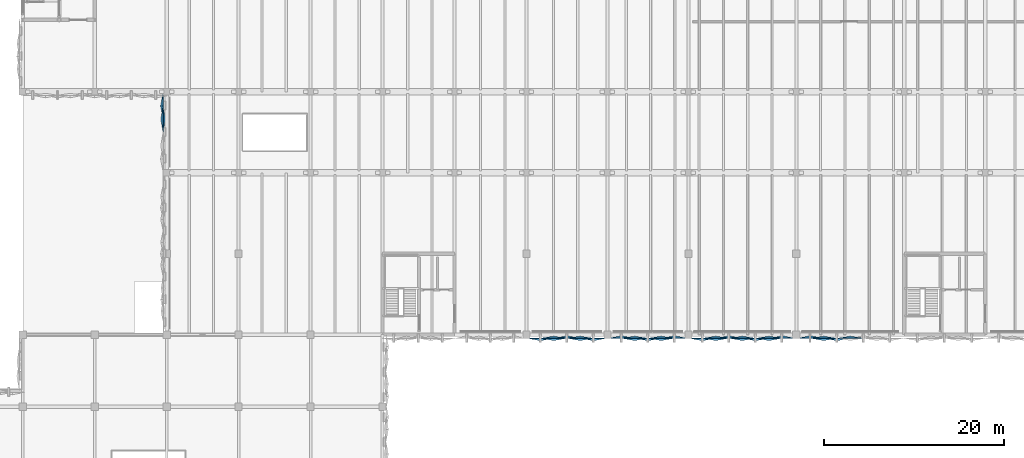
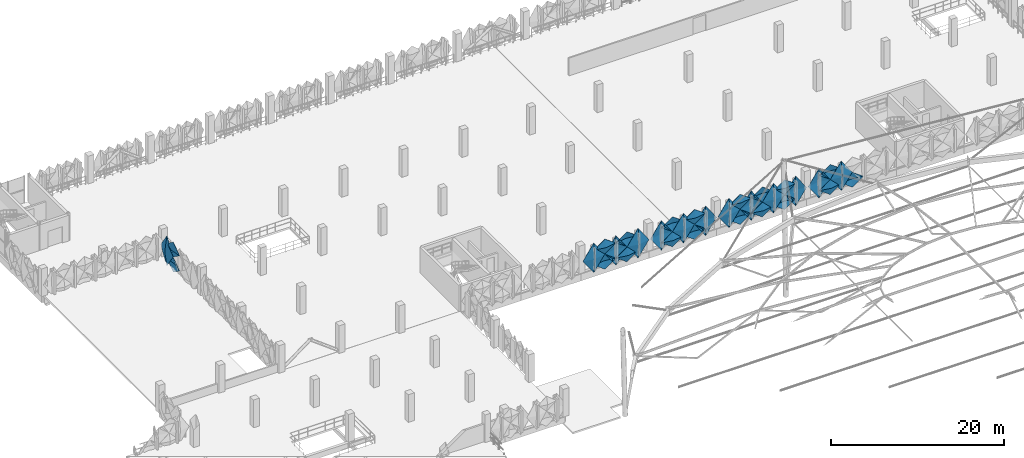
# One storey, part 67 of 96: 32 plates.
"""IFC4 building model written with IfcOpenShell, lengths in metres."""

from ifc_helpers import new_model, si_unit, derived_unit, direction, frame, origin, place, context, subcontext, project, spatial, polygons, material, layer, layer_set, type_object, element, save


model = new_model("IFC4")

# Units and contexts
model_context = context("Model", 3, precision=1e-05, world=origin(), true_north=direction((0.0, 1.0)))
body_context = subcontext(model_context, "Body", "Model", "MODEL_VIEW")
ifc_project = project(units=[si_unit("LENGTHUNIT", "METRE"), si_unit("AREAUNIT", "SQUARE_METRE"), si_unit("VOLUMEUNIT", "CUBIC_METRE"), si_unit("PLANEANGLEUNIT", "RADIAN"), si_unit("MASSUNIT", "GRAM", prefix="KILO"), si_unit("THERMODYNAMICTEMPERATUREUNIT", "KELVIN"), derived_unit("THERMALTRANSMITTANCEUNIT", [(si_unit("POWERUNIT", "WATT"), 1), (si_unit("AREAUNIT", "SQUARE_METRE"), -1), (si_unit("THERMODYNAMICTEMPERATUREUNIT", "KELVIN"), -1)])], contexts=[model_context])

# Site, building, storey
site_placement = place(None, origin())
site = spatial("IfcSite", under=ifc_project, at=site_placement, CompositionType="ELEMENT")
building_placement = place(site_placement, origin())
building = spatial("IfcBuilding", under=site, at=building_placement, Name="Haiyu Intermodal Mobility Hub", CompositionType="ELEMENT")
storey_placement = place(building_placement, frame((0.0, 0.0, 9.5)))
storey = spatial("IfcBuildingStorey", under=building, at=storey_placement, Name="L02", CompositionType="ELEMENT", Elevation=9.5)

# Plates
ifc_material = material(Name="Anodised aluminium 6063-T6", Category="aluminium")
ifc_layer_1 = layer(ifc_material, 0.01806640625)
ifc_layer_set_1 = layer_set([ifc_layer_1], Name="Anodised aluminium 6063-T6")
plate_type_1 = type_object("IfcPlateType", Name="PLT-FC01", PredefinedType="USERDEFINED", material=ifc_layer_set_1)
plate_1_placement = place(storey_placement, origin())
element("IfcPlate", 1, at=plate_1_placement, inside=storey, type_object=plate_type_1, Name="PLT-PYR-0795", ObjectType="FACADE CASSETTE", PredefinedType="USERDEFINED", context=body_context, shape_type="Tessellation", body=[
    polygons([(85.447021484375, 103.60009765625, -0.510009765625), (86.89990234375, 103.60009765625, 1.60009765625), (85.447021484375, 103.60009765625, 3.7099609375), (83.992919921875, 103.60009765625, 1.60009765625), (85.447021484375, 103.320068359375, 1.60009765625), (85.447021484375, 103.6220703125, -0.510009765625), (86.89990234375, 103.6220703125, 1.60009765625), (85.447021484375, 103.6220703125, 3.7099609375), (83.992919921875, 103.6220703125, 1.60009765625), (85.447021484375, 103.342041015625, 1.60009765625)], [[[1, 2, 5]], [[2, 3, 5]], [[3, 4, 5]], [[4, 1, 5]], [[7, 6, 10]], [[8, 7, 10]], [[9, 8, 10]], [[6, 9, 10]], [[1, 6, 7, 2]], [[2, 7, 8, 3]], [[3, 8, 9, 4]], [[4, 9, 6, 1]]], closed=True),
])
plate_2_placement = place(storey_placement, origin())
element("IfcPlate", 2, at=plate_2_placement, inside=storey, type_object=plate_type_1, Name="PLT-PYR-0861", ObjectType="FACADE CASSETTE", PredefinedType="USERDEFINED", context=body_context, shape_type="Tessellation", body=[
    polygons([(103.47998046875, 103.60009765625, -0.510009765625), (104.93994140625, 103.60009765625, 1.60009765625), (103.47998046875, 103.60009765625, 3.7099609375), (102.02001953125, 103.60009765625, 1.60009765625), (103.47998046875, 103.320068359375, 1.60009765625), (103.47998046875, 103.6220703125, -0.510009765625), (104.93994140625, 103.6220703125, 1.60009765625), (103.47998046875, 103.6220703125, 3.7099609375), (102.02001953125, 103.6220703125, 1.60009765625), (103.47998046875, 103.342041015625, 1.60009765625)], [[[1, 2, 5]], [[2, 3, 5]], [[3, 4, 5]], [[4, 1, 5]], [[7, 6, 10]], [[8, 7, 10]], [[9, 8, 10]], [[6, 9, 10]], [[1, 6, 7, 2]], [[2, 7, 8, 3]], [[3, 8, 9, 4]], [[4, 9, 6, 1]]], closed=True),
])
ifc_layer_2 = layer(ifc_material, 0.02001953125)
ifc_layer_set_2 = layer_set([ifc_layer_2], Name="Anodised aluminium 6063-T6")
plate_type_2 = type_object("IfcPlateType", Name="PLT-FC02", PredefinedType="USERDEFINED", material=ifc_layer_set_2)
plate_3_placement = place(storey_placement, origin())
element("IfcPlate", 3, at=plate_3_placement, inside=storey, type_object=plate_type_2, Name="PLT-PYR-0823", ObjectType="FACADE CASSETTE", PredefinedType="USERDEFINED", context=body_context, shape_type="Tessellation", body=[
    polygons([(94.447021484375, 103.60009765625, -0.510009765625), (95.89990234375, 103.60009765625, 1.60009765625), (94.447021484375, 103.60009765625, 3.7099609375), (92.992919921875, 103.60009765625, 1.60009765625), (94.447021484375, 103.860107421875, 1.60009765625), (94.447021484375, 103.6220703125, -0.510009765625), (95.89990234375, 103.6220703125, 1.60009765625), (94.447021484375, 103.6220703125, 3.7099609375), (92.992919921875, 103.6220703125, 1.60009765625), (94.447021484375, 103.882080078125, 1.60009765625)], [[[1, 2, 5]], [[2, 3, 5]], [[3, 4, 5]], [[4, 1, 5]], [[7, 6, 10]], [[8, 7, 10]], [[9, 8, 10]], [[6, 9, 10]], [[1, 6, 7, 2]], [[2, 7, 8, 3]], [[3, 8, 9, 4]], [[4, 9, 6, 1]]], closed=True),
])
ifc_layer_3 = layer(ifc_material, 0.02001953125)
ifc_layer_set_3 = layer_set([ifc_layer_3], Name="Anodised aluminium 6063-T6")
plate_type_3 = type_object("IfcPlateType", Name="PLT-FC04", PredefinedType="USERDEFINED", material=ifc_layer_set_3)
plate_4_placement = place(storey_placement, origin())
element("IfcPlate", 4, at=plate_4_placement, inside=storey, type_object=plate_type_3, Name="PLT-PYR-0864", ObjectType="FACADE CASSETTE", PredefinedType="USERDEFINED", context=body_context, shape_type="Tessellation", body=[
    polygons([(106.43994140625, 103.60009765625, -0.510009765625), (107.89990234375, 103.60009765625, 1.60009765625), (106.43994140625, 103.60009765625, 3.7099609375), (104.97998046875, 103.60009765625, 1.60009765625), (106.43994140625, 103.860107421875, 1.60009765625), (106.43994140625, 103.6220703125, -0.510009765625), (107.89990234375, 103.6220703125, 1.60009765625), (106.43994140625, 103.6220703125, 3.7099609375), (104.97998046875, 103.6220703125, 1.60009765625), (106.43994140625, 103.882080078125, 1.60009765625)], [[[1, 2, 5]], [[2, 3, 5]], [[3, 4, 5]], [[4, 1, 5]], [[7, 6, 10]], [[8, 7, 10]], [[9, 8, 10]], [[6, 9, 10]], [[1, 6, 7, 2]], [[2, 7, 8, 3]], [[3, 8, 9, 4]], [[4, 9, 6, 1]]], closed=True),
])
ifc_layer_4 = layer(ifc_material, 0.01806640625)
ifc_layer_set_4 = layer_set([ifc_layer_4], Name="Anodised aluminium 6063-T6")
plate_type_4 = type_object("IfcPlateType", Name="PLT-FC05", PredefinedType="USERDEFINED", material=ifc_layer_set_4)
plate_5_placement = place(storey_placement, origin())
element("IfcPlate", 5, at=plate_5_placement, inside=storey, type_object=plate_type_4, Name="PLT-PYR-0623", ObjectType="FACADE CASSETTE", PredefinedType="USERDEFINED", context=body_context, shape_type="Tessellation", body=[
    polygons([(37.60009765625, 129.447021484375, -0.510009765625), (37.60009765625, 127.992919921875, 1.60009765625), (37.60009765625, 129.447021484375, 3.7099609375), (37.60009765625, 130.89990234375, 1.60009765625), (37.320068359375, 129.447021484375, 1.60009765625), (37.6220703125, 129.447021484375, -0.510009765625), (37.6220703125, 127.992919921875, 1.60009765625), (37.6220703125, 129.447021484375, 3.7099609375), (37.6220703125, 130.89990234375, 1.60009765625), (37.342041015625, 129.447021484375, 1.60009765625)], [[[1, 2, 5]], [[2, 3, 5]], [[3, 4, 5]], [[4, 1, 5]], [[7, 6, 10]], [[8, 7, 10]], [[9, 8, 10]], [[6, 9, 10]], [[1, 6, 7, 2]], [[2, 7, 8, 3]], [[3, 8, 9, 4]], [[4, 9, 6, 1]]], closed=True),
])
plate_6_placement = place(storey_placement, origin())
element("IfcPlate", 6, at=plate_6_placement, inside=storey, type_object=plate_type_4, Name="PLT-PYR-0789", ObjectType="FACADE CASSETTE", PredefinedType="USERDEFINED", context=body_context, shape_type="Tessellation", body=[
    polygons([(79.552978515625, 103.60009765625, -0.510009765625), (81.007080078125, 103.60009765625, 1.60009765625), (79.552978515625, 103.60009765625, 3.7099609375), (78.10009765625, 103.60009765625, 1.60009765625), (79.552978515625, 103.320068359375, 1.60009765625), (79.552978515625, 103.6220703125, -0.510009765625), (81.007080078125, 103.6220703125, 1.60009765625), (79.552978515625, 103.6220703125, 3.7099609375), (78.10009765625, 103.6220703125, 1.60009765625), (79.552978515625, 103.342041015625, 1.60009765625)], [[[1, 2, 5]], [[2, 3, 5]], [[3, 4, 5]], [[4, 1, 5]], [[7, 6, 10]], [[8, 7, 10]], [[9, 8, 10]], [[6, 9, 10]], [[1, 6, 7, 2]], [[2, 7, 8, 3]], [[3, 8, 9, 4]], [[4, 9, 6, 1]]], closed=True),
])
plate_7_placement = place(storey_placement, origin())
element("IfcPlate", 7, at=plate_7_placement, inside=storey, type_object=plate_type_4, Name="PLT-PYR-0793", ObjectType="FACADE CASSETTE", PredefinedType="USERDEFINED", context=body_context, shape_type="Tessellation", body=[
    polygons([(83.972900390625, 103.60009765625, -0.52001953125), (85.427001953125, 103.60009765625, 0.530029296875), (83.972900390625, 103.60009765625, 1.580078125), (82.52001953125, 103.60009765625, 0.530029296875), (83.972900390625, 103.340087890625, 0.530029296875), (83.972900390625, 103.6220703125, -0.52001953125), (85.427001953125, 103.6220703125, 0.530029296875), (83.972900390625, 103.6220703125, 1.580078125), (82.52001953125, 103.6220703125, 0.530029296875), (83.972900390625, 103.362060546875, 0.530029296875)], [[[1, 2, 5]], [[2, 3, 5]], [[3, 4, 5]], [[4, 1, 5]], [[7, 6, 10]], [[8, 7, 10]], [[9, 8, 10]], [[6, 9, 10]], [[1, 6, 7, 2]], [[2, 7, 8, 3]], [[3, 8, 9, 4]], [[4, 9, 6, 1]]], closed=True),
])
plate_8_placement = place(storey_placement, origin())
element("IfcPlate", 8, at=plate_8_placement, inside=storey, type_object=plate_type_4, Name="PLT-PYR-0818", ObjectType="FACADE CASSETTE", PredefinedType="USERDEFINED", context=body_context, shape_type="Tessellation", body=[
    polygons([(90.027099609375, 103.60009765625, -0.52001953125), (91.47998046875, 103.60009765625, 0.530029296875), (90.027099609375, 103.60009765625, 1.580078125), (88.572998046875, 103.60009765625, 0.530029296875), (90.027099609375, 103.340087890625, 0.530029296875), (90.027099609375, 103.6220703125, -0.52001953125), (91.47998046875, 103.6220703125, 0.530029296875), (90.027099609375, 103.6220703125, 1.580078125), (88.572998046875, 103.6220703125, 0.530029296875), (90.027099609375, 103.362060546875, 0.530029296875)], [[[1, 2, 5]], [[2, 3, 5]], [[3, 4, 5]], [[4, 1, 5]], [[7, 6, 10]], [[8, 7, 10]], [[9, 8, 10]], [[6, 9, 10]], [[1, 6, 7, 2]], [[2, 7, 8, 3]], [[3, 8, 9, 4]], [[4, 9, 6, 1]]], closed=True),
])
plate_9_placement = place(storey_placement, origin())
element("IfcPlate", 9, at=plate_9_placement, inside=storey, type_object=plate_type_4, Name="PLT-PYR-0855", ObjectType="FACADE CASSETTE", PredefinedType="USERDEFINED", context=body_context, shape_type="Tessellation", body=[
    polygons([(97.56005859375, 103.60009765625, -0.510009765625), (99.02001953125, 103.60009765625, 1.60009765625), (97.56005859375, 103.60009765625, 3.7099609375), (96.10009765625, 103.60009765625, 1.60009765625), (97.56005859375, 103.320068359375, 1.60009765625), (97.56005859375, 103.6220703125, -0.510009765625), (99.02001953125, 103.6220703125, 1.60009765625), (97.56005859375, 103.6220703125, 3.7099609375), (96.10009765625, 103.6220703125, 1.60009765625), (97.56005859375, 103.342041015625, 1.60009765625)], [[[1, 2, 5]], [[2, 3, 5]], [[3, 4, 5]], [[4, 1, 5]], [[7, 6, 10]], [[8, 7, 10]], [[9, 8, 10]], [[6, 9, 10]], [[1, 6, 7, 2]], [[2, 7, 8, 3]], [[3, 8, 9, 4]], [[4, 9, 6, 1]]], closed=True),
])
plate_10_placement = place(storey_placement, origin())
element("IfcPlate", 10, at=plate_10_placement, inside=storey, type_object=plate_type_4, Name="PLT-PYR-0859", ObjectType="FACADE CASSETTE", PredefinedType="USERDEFINED", context=body_context, shape_type="Tessellation", body=[
    polygons([(102.0, 103.60009765625, -0.52001953125), (103.4599609375, 103.60009765625, 0.530029296875), (102.0, 103.60009765625, 1.580078125), (100.5400390625, 103.60009765625, 0.530029296875), (102.0, 103.340087890625, 0.530029296875), (102.0, 103.6220703125, -0.52001953125), (103.4599609375, 103.6220703125, 0.530029296875), (102.0, 103.6220703125, 1.580078125), (100.5400390625, 103.6220703125, 0.530029296875), (102.0, 103.362060546875, 0.530029296875)], [[[1, 2, 5]], [[2, 3, 5]], [[3, 4, 5]], [[4, 1, 5]], [[7, 6, 10]], [[8, 7, 10]], [[9, 8, 10]], [[6, 9, 10]], [[1, 6, 7, 2]], [[2, 7, 8, 3]], [[3, 8, 9, 4]], [[4, 9, 6, 1]]], closed=True),
])
plate_11_placement = place(storey_placement, origin())
element("IfcPlate", 11, at=plate_11_placement, inside=storey, type_object=plate_type_4, Name="PLT-PYR-0906", ObjectType="FACADE CASSETTE", PredefinedType="USERDEFINED", context=body_context, shape_type="Tessellation", body=[
    polygons([(111.0400390625, 103.60009765625, -0.52001953125), (112.5, 103.60009765625, 0.530029296875), (111.0400390625, 103.60009765625, 1.580078125), (109.580078125, 103.60009765625, 0.530029296875), (111.0400390625, 103.340087890625, 0.530029296875), (111.0400390625, 103.6220703125, -0.52001953125), (112.5, 103.6220703125, 0.530029296875), (111.0400390625, 103.6220703125, 1.580078125), (109.580078125, 103.6220703125, 0.530029296875), (111.0400390625, 103.362060546875, 0.530029296875)], [[[1, 2, 5]], [[2, 3, 5]], [[3, 4, 5]], [[4, 1, 5]], [[7, 6, 10]], [[8, 7, 10]], [[9, 8, 10]], [[6, 9, 10]], [[1, 6, 7, 2]], [[2, 7, 8, 3]], [[3, 8, 9, 4]], [[4, 9, 6, 1]]], closed=True),
])
ifc_layer_5 = layer(ifc_material, 0.02001953125)
ifc_layer_set_5 = layer_set([ifc_layer_5], Name="Anodised aluminium 6063-T6")
plate_type_5 = type_object("IfcPlateType", Name="PLT-FC06", PredefinedType="USERDEFINED", material=ifc_layer_set_5)
plate_12_placement = place(storey_placement, origin())
element("IfcPlate", 12, at=plate_12_placement, inside=storey, type_object=plate_type_5, Name="PLT-PYR-0624", ObjectType="FACADE CASSETTE", PredefinedType="USERDEFINED", context=body_context, shape_type="Tessellation", body=[
    polygons([(37.60009765625, 127.972900390625, -0.52001953125), (37.60009765625, 126.52001953125, 0.530029296875), (37.60009765625, 127.972900390625, 1.580078125), (37.60009765625, 129.427001953125, 0.530029296875), (37.820068359375, 127.972900390625, 0.530029296875), (37.6220703125, 127.972900390625, -0.52001953125), (37.6220703125, 126.52001953125, 0.530029296875), (37.6220703125, 127.972900390625, 1.580078125), (37.6220703125, 129.427001953125, 0.530029296875), (37.842041015625, 127.972900390625, 0.530029296875)], [[[1, 2, 5]], [[2, 3, 5]], [[3, 4, 5]], [[4, 1, 5]], [[7, 6, 10]], [[8, 7, 10]], [[9, 8, 10]], [[6, 9, 10]], [[1, 6, 7, 2]], [[2, 7, 8, 3]], [[3, 8, 9, 4]], [[4, 9, 6, 1]]], closed=True),
])
plate_13_placement = place(storey_placement, origin())
element("IfcPlate", 13, at=plate_13_placement, inside=storey, type_object=plate_type_5, Name="PLT-PYR-0790", ObjectType="FACADE CASSETTE", PredefinedType="USERDEFINED", context=body_context, shape_type="Tessellation", body=[
    polygons([(81.027099609375, 103.60009765625, -0.52001953125), (82.47998046875, 103.60009765625, 0.530029296875), (81.027099609375, 103.60009765625, 1.580078125), (79.572998046875, 103.60009765625, 0.530029296875), (81.027099609375, 103.820068359375, 0.530029296875), (81.027099609375, 103.6220703125, -0.52001953125), (82.47998046875, 103.6220703125, 0.530029296875), (81.027099609375, 103.6220703125, 1.580078125), (79.572998046875, 103.6220703125, 0.530029296875), (81.027099609375, 103.842041015625, 0.530029296875)], [[[1, 2, 5]], [[2, 3, 5]], [[3, 4, 5]], [[4, 1, 5]], [[7, 6, 10]], [[8, 7, 10]], [[9, 8, 10]], [[6, 9, 10]], [[1, 6, 7, 2]], [[2, 7, 8, 3]], [[3, 8, 9, 4]], [[4, 9, 6, 1]]], closed=True),
])
plate_14_placement = place(storey_placement, origin())
element("IfcPlate", 14, at=plate_14_placement, inside=storey, type_object=plate_type_5, Name="PLT-PYR-0817", ObjectType="FACADE CASSETTE", PredefinedType="USERDEFINED", context=body_context, shape_type="Tessellation", body=[
    polygons([(88.552978515625, 103.60009765625, -0.510009765625), (90.007080078125, 103.60009765625, 1.60009765625), (88.552978515625, 103.60009765625, 3.7099609375), (87.10009765625, 103.60009765625, 1.60009765625), (88.552978515625, 103.860107421875, 1.60009765625), (88.552978515625, 103.6220703125, -0.510009765625), (90.007080078125, 103.6220703125, 1.60009765625), (88.552978515625, 103.6220703125, 3.7099609375), (87.10009765625, 103.6220703125, 1.60009765625), (88.552978515625, 103.882080078125, 1.60009765625)], [[[1, 2, 5]], [[2, 3, 5]], [[3, 4, 5]], [[4, 1, 5]], [[7, 6, 10]], [[8, 7, 10]], [[9, 8, 10]], [[6, 9, 10]], [[1, 6, 7, 2]], [[2, 7, 8, 3]], [[3, 8, 9, 4]], [[4, 9, 6, 1]]], closed=True),
])
plate_15_placement = place(storey_placement, origin())
element("IfcPlate", 15, at=plate_15_placement, inside=storey, type_object=plate_type_5, Name="PLT-PYR-0821", ObjectType="FACADE CASSETTE", PredefinedType="USERDEFINED", context=body_context, shape_type="Tessellation", body=[
    polygons([(92.972900390625, 103.60009765625, -0.52001953125), (94.427001953125, 103.60009765625, 0.530029296875), (92.972900390625, 103.60009765625, 1.580078125), (91.52001953125, 103.60009765625, 0.530029296875), (92.972900390625, 103.820068359375, 0.530029296875), (92.972900390625, 103.6220703125, -0.52001953125), (94.427001953125, 103.6220703125, 0.530029296875), (92.972900390625, 103.6220703125, 1.580078125), (91.52001953125, 103.6220703125, 0.530029296875), (92.972900390625, 103.842041015625, 0.530029296875)], [[[1, 2, 5]], [[2, 3, 5]], [[3, 4, 5]], [[4, 1, 5]], [[7, 6, 10]], [[8, 7, 10]], [[9, 8, 10]], [[6, 9, 10]], [[1, 6, 7, 2]], [[2, 7, 8, 3]], [[3, 8, 9, 4]], [[4, 9, 6, 1]]], closed=True),
])
plate_16_placement = place(storey_placement, origin())
element("IfcPlate", 16, at=plate_16_placement, inside=storey, type_object=plate_type_5, Name="PLT-PYR-0856", ObjectType="FACADE CASSETTE", PredefinedType="USERDEFINED", context=body_context, shape_type="Tessellation", body=[
    polygons([(99.0400390625, 103.60009765625, -0.52001953125), (100.5, 103.60009765625, 0.530029296875), (99.0400390625, 103.60009765625, 1.580078125), (97.580078125, 103.60009765625, 0.530029296875), (99.0400390625, 103.820068359375, 0.530029296875), (99.0400390625, 103.6220703125, -0.52001953125), (100.5, 103.6220703125, 0.530029296875), (99.0400390625, 103.6220703125, 1.580078125), (97.580078125, 103.6220703125, 0.530029296875), (99.0400390625, 103.842041015625, 0.530029296875)], [[[1, 2, 5]], [[2, 3, 5]], [[3, 4, 5]], [[4, 1, 5]], [[7, 6, 10]], [[8, 7, 10]], [[9, 8, 10]], [[6, 9, 10]], [[1, 6, 7, 2]], [[2, 7, 8, 3]], [[3, 8, 9, 4]], [[4, 9, 6, 1]]], closed=True),
])
plate_17_placement = place(storey_placement, origin())
element("IfcPlate", 17, at=plate_17_placement, inside=storey, type_object=plate_type_5, Name="PLT-PYR-0862", ObjectType="FACADE CASSETTE", PredefinedType="USERDEFINED", context=body_context, shape_type="Tessellation", body=[
    polygons([(104.9599609375, 103.60009765625, -0.52001953125), (106.419921875, 103.60009765625, 0.530029296875), (104.9599609375, 103.60009765625, 1.580078125), (103.5, 103.60009765625, 0.530029296875), (104.9599609375, 103.820068359375, 0.530029296875), (104.9599609375, 103.6220703125, -0.52001953125), (106.419921875, 103.6220703125, 0.530029296875), (104.9599609375, 103.6220703125, 1.580078125), (103.5, 103.6220703125, 0.530029296875), (104.9599609375, 103.842041015625, 0.530029296875)], [[[1, 2, 5]], [[2, 3, 5]], [[3, 4, 5]], [[4, 1, 5]], [[7, 6, 10]], [[8, 7, 10]], [[9, 8, 10]], [[6, 9, 10]], [[1, 6, 7, 2]], [[2, 7, 8, 3]], [[3, 8, 9, 4]], [[4, 9, 6, 1]]], closed=True),
])
plate_18_placement = place(storey_placement, origin())
element("IfcPlate", 18, at=plate_18_placement, inside=storey, type_object=plate_type_5, Name="PLT-PYR-0905", ObjectType="FACADE CASSETTE", PredefinedType="USERDEFINED", context=body_context, shape_type="Tessellation", body=[
    polygons([(109.56005859375, 103.60009765625, -0.510009765625), (111.02001953125, 103.60009765625, 1.60009765625), (109.56005859375, 103.60009765625, 3.7099609375), (108.10009765625, 103.60009765625, 1.60009765625), (109.56005859375, 103.860107421875, 1.60009765625), (109.56005859375, 103.6220703125, -0.510009765625), (111.02001953125, 103.6220703125, 1.60009765625), (109.56005859375, 103.6220703125, 3.7099609375), (108.10009765625, 103.6220703125, 1.60009765625), (109.56005859375, 103.882080078125, 1.60009765625)], [[[1, 2, 5]], [[2, 3, 5]], [[3, 4, 5]], [[4, 1, 5]], [[7, 6, 10]], [[8, 7, 10]], [[9, 8, 10]], [[6, 9, 10]], [[1, 6, 7, 2]], [[2, 7, 8, 3]], [[3, 8, 9, 4]], [[4, 9, 6, 1]]], closed=True),
])
plate_19_placement = place(storey_placement, origin())
element("IfcPlate", 19, at=plate_19_placement, inside=storey, type_object=plate_type_5, Name="PLT-PYR-0909", ObjectType="FACADE CASSETTE", PredefinedType="USERDEFINED", context=body_context, shape_type="Tessellation", body=[
    polygons([(114.0, 103.60009765625, -0.52001953125), (115.4599609375, 103.60009765625, 0.530029296875), (114.0, 103.60009765625, 1.580078125), (112.5400390625, 103.60009765625, 0.530029296875), (114.0, 103.820068359375, 0.530029296875), (114.0, 103.6220703125, -0.52001953125), (115.4599609375, 103.6220703125, 0.530029296875), (114.0, 103.6220703125, 1.580078125), (112.5400390625, 103.6220703125, 0.530029296875), (114.0, 103.842041015625, 0.530029296875)], [[[1, 2, 5]], [[2, 3, 5]], [[3, 4, 5]], [[4, 1, 5]], [[7, 6, 10]], [[8, 7, 10]], [[9, 8, 10]], [[6, 9, 10]], [[1, 6, 7, 2]], [[2, 7, 8, 3]], [[3, 8, 9, 4]], [[4, 9, 6, 1]]], closed=True),
])
ifc_layer_6 = layer(ifc_material, 0.02197265625)
ifc_layer_set_6 = layer_set([ifc_layer_6], Name="Anodised aluminium 6063-T6")
plate_type_6 = type_object("IfcPlateType", Name="PLT-FC07", PredefinedType="USERDEFINED", material=ifc_layer_set_6)
plate_20_placement = place(storey_placement, origin())
element("IfcPlate", 20, at=plate_20_placement, inside=storey, type_object=plate_type_6, Name="PLT-PYR-0625", ObjectType="FACADE CASSETTE", PredefinedType="USERDEFINED", context=body_context, shape_type="Tessellation", body=[
    polygons([(37.60009765625, 127.972900390625, 1.6201171875), (37.60009765625, 126.52001953125, 2.669921875), (37.60009765625, 127.972900390625, 3.719970703125), (37.60009765625, 129.427001953125, 2.669921875), (37.340087890625, 127.972900390625, 2.669921875), (37.6220703125, 127.972900390625, 1.6201171875), (37.6220703125, 126.52001953125, 2.669921875), (37.6220703125, 127.972900390625, 3.719970703125), (37.6220703125, 129.427001953125, 2.669921875), (37.362060546875, 127.972900390625, 2.669921875)], [[[1, 2, 5]], [[2, 3, 5]], [[3, 4, 5]], [[4, 1, 5]], [[7, 6, 10]], [[8, 7, 10]], [[9, 8, 10]], [[6, 9, 10]], [[1, 6, 7, 2]], [[2, 7, 8, 3]], [[3, 8, 9, 4]], [[4, 9, 6, 1]]], closed=True),
])
plate_21_placement = place(storey_placement, origin())
element("IfcPlate", 21, at=plate_21_placement, inside=storey, type_object=plate_type_6, Name="PLT-PYR-0791", ObjectType="FACADE CASSETTE", PredefinedType="USERDEFINED", context=body_context, shape_type="Tessellation", body=[
    polygons([(81.027099609375, 103.60009765625, 1.6201171875), (82.47998046875, 103.60009765625, 2.669921875), (81.027099609375, 103.60009765625, 3.719970703125), (79.572998046875, 103.60009765625, 2.669921875), (81.027099609375, 103.340087890625, 2.669921875), (81.027099609375, 103.6220703125, 1.6201171875), (82.47998046875, 103.6220703125, 2.669921875), (81.027099609375, 103.6220703125, 3.719970703125), (79.572998046875, 103.6220703125, 2.669921875), (81.027099609375, 103.362060546875, 2.669921875)], [[[1, 2, 5]], [[2, 3, 5]], [[3, 4, 5]], [[4, 1, 5]], [[7, 6, 10]], [[8, 7, 10]], [[9, 8, 10]], [[6, 9, 10]], [[1, 6, 7, 2]], [[2, 7, 8, 3]], [[3, 8, 9, 4]], [[4, 9, 6, 1]]], closed=True),
])
plate_22_placement = place(storey_placement, origin())
element("IfcPlate", 22, at=plate_22_placement, inside=storey, type_object=plate_type_6, Name="PLT-PYR-0820", ObjectType="FACADE CASSETTE", PredefinedType="USERDEFINED", context=body_context, shape_type="Tessellation", body=[
    polygons([(91.5, 103.60009765625, -0.510009765625), (92.952880859375, 103.60009765625, 1.60009765625), (91.5, 103.60009765625, 3.7099609375), (90.047119140625, 103.60009765625, 1.60009765625), (91.5, 103.320068359375, 1.60009765625), (91.5, 103.6220703125, -0.510009765625), (92.952880859375, 103.6220703125, 1.60009765625), (91.5, 103.6220703125, 3.7099609375), (90.047119140625, 103.6220703125, 1.60009765625), (91.5, 103.342041015625, 1.60009765625)], [[[1, 2, 5]], [[2, 3, 5]], [[3, 4, 5]], [[4, 1, 5]], [[7, 6, 10]], [[8, 7, 10]], [[9, 8, 10]], [[6, 9, 10]], [[1, 6, 7, 2]], [[2, 7, 8, 3]], [[3, 8, 9, 4]], [[4, 9, 6, 1]]], closed=True),
])
plate_23_placement = place(storey_placement, origin())
element("IfcPlate", 23, at=plate_23_placement, inside=storey, type_object=plate_type_6, Name="PLT-PYR-0822", ObjectType="FACADE CASSETTE", PredefinedType="USERDEFINED", context=body_context, shape_type="Tessellation", body=[
    polygons([(92.972900390625, 103.60009765625, 1.6201171875), (94.427001953125, 103.60009765625, 2.669921875), (92.972900390625, 103.60009765625, 3.719970703125), (91.52001953125, 103.60009765625, 2.669921875), (92.972900390625, 103.340087890625, 2.669921875), (92.972900390625, 103.6220703125, 1.6201171875), (94.427001953125, 103.6220703125, 2.669921875), (92.972900390625, 103.6220703125, 3.719970703125), (91.52001953125, 103.6220703125, 2.669921875), (92.972900390625, 103.362060546875, 2.669921875)], [[[1, 2, 5]], [[2, 3, 5]], [[3, 4, 5]], [[4, 1, 5]], [[7, 6, 10]], [[8, 7, 10]], [[9, 8, 10]], [[6, 9, 10]], [[1, 6, 7, 2]], [[2, 7, 8, 3]], [[3, 8, 9, 4]], [[4, 9, 6, 1]]], closed=True),
])
plate_24_placement = place(storey_placement, origin())
element("IfcPlate", 24, at=plate_24_placement, inside=storey, type_object=plate_type_6, Name="PLT-PYR-0857", ObjectType="FACADE CASSETTE", PredefinedType="USERDEFINED", context=body_context, shape_type="Tessellation", body=[
    polygons([(99.0400390625, 103.60009765625, 1.6201171875), (100.5, 103.60009765625, 2.669921875), (99.0400390625, 103.60009765625, 3.719970703125), (97.580078125, 103.60009765625, 2.669921875), (99.0400390625, 103.340087890625, 2.669921875), (99.0400390625, 103.6220703125, 1.6201171875), (100.5, 103.6220703125, 2.669921875), (99.0400390625, 103.6220703125, 3.719970703125), (97.580078125, 103.6220703125, 2.669921875), (99.0400390625, 103.362060546875, 2.669921875)], [[[1, 2, 5]], [[2, 3, 5]], [[3, 4, 5]], [[4, 1, 5]], [[7, 6, 10]], [[8, 7, 10]], [[9, 8, 10]], [[6, 9, 10]], [[1, 6, 7, 2]], [[2, 7, 8, 3]], [[3, 8, 9, 4]], [[4, 9, 6, 1]]], closed=True),
])
plate_25_placement = place(storey_placement, origin())
element("IfcPlate", 25, at=plate_25_placement, inside=storey, type_object=plate_type_6, Name="PLT-PYR-0863", ObjectType="FACADE CASSETTE", PredefinedType="USERDEFINED", context=body_context, shape_type="Tessellation", body=[
    polygons([(104.9599609375, 103.60009765625, 1.6201171875), (106.419921875, 103.60009765625, 2.669921875), (104.9599609375, 103.60009765625, 3.719970703125), (103.5, 103.60009765625, 2.669921875), (104.9599609375, 103.340087890625, 2.669921875), (104.9599609375, 103.6220703125, 1.6201171875), (106.419921875, 103.6220703125, 2.669921875), (104.9599609375, 103.6220703125, 3.719970703125), (103.5, 103.6220703125, 2.669921875), (104.9599609375, 103.362060546875, 2.669921875)], [[[1, 2, 5]], [[2, 3, 5]], [[3, 4, 5]], [[4, 1, 5]], [[7, 6, 10]], [[8, 7, 10]], [[9, 8, 10]], [[6, 9, 10]], [[1, 6, 7, 2]], [[2, 7, 8, 3]], [[3, 8, 9, 4]], [[4, 9, 6, 1]]], closed=True),
])
plate_26_placement = place(storey_placement, origin())
element("IfcPlate", 26, at=plate_26_placement, inside=storey, type_object=plate_type_6, Name="PLT-PYR-0908", ObjectType="FACADE CASSETTE", PredefinedType="USERDEFINED", context=body_context, shape_type="Tessellation", body=[
    polygons([(112.52001953125, 103.60009765625, -0.510009765625), (113.97998046875, 103.60009765625, 1.60009765625), (112.52001953125, 103.60009765625, 3.7099609375), (111.06005859375, 103.60009765625, 1.60009765625), (112.52001953125, 103.320068359375, 1.60009765625), (112.52001953125, 103.6220703125, -0.510009765625), (113.97998046875, 103.6220703125, 1.60009765625), (112.52001953125, 103.6220703125, 3.7099609375), (111.06005859375, 103.6220703125, 1.60009765625), (112.52001953125, 103.342041015625, 1.60009765625)], [[[1, 2, 5]], [[2, 3, 5]], [[3, 4, 5]], [[4, 1, 5]], [[7, 6, 10]], [[8, 7, 10]], [[9, 8, 10]], [[6, 9, 10]], [[1, 6, 7, 2]], [[2, 7, 8, 3]], [[3, 8, 9, 4]], [[4, 9, 6, 1]]], closed=True),
])
ifc_layer_7 = layer(ifc_material, 0.02392578125)
ifc_layer_set_7 = layer_set([ifc_layer_7], Name="Anodised aluminium 6063-T6")
plate_type_7 = type_object("IfcPlateType", Name="PLT-FC08", PredefinedType="USERDEFINED", material=ifc_layer_set_7)
plate_27_placement = place(storey_placement, origin())
element("IfcPlate", 27, at=plate_27_placement, inside=storey, type_object=plate_type_7, Name="PLT-PYR-0792", ObjectType="FACADE CASSETTE", PredefinedType="USERDEFINED", context=body_context, shape_type="Tessellation", body=[
    polygons([(82.5, 103.60009765625, -0.510009765625), (83.952880859375, 103.60009765625, 1.60009765625), (82.5, 103.60009765625, 3.7099609375), (81.047119140625, 103.60009765625, 1.60009765625), (82.5, 103.860107421875, 1.60009765625), (82.5, 103.6220703125, -0.510009765625), (83.952880859375, 103.6220703125, 1.60009765625), (82.5, 103.6220703125, 3.7099609375), (81.047119140625, 103.6220703125, 1.60009765625), (82.5, 103.882080078125, 1.60009765625)], [[[1, 2, 5]], [[2, 3, 5]], [[3, 4, 5]], [[4, 1, 5]], [[7, 6, 10]], [[8, 7, 10]], [[9, 8, 10]], [[6, 9, 10]], [[1, 6, 7, 2]], [[2, 7, 8, 3]], [[3, 8, 9, 4]], [[4, 9, 6, 1]]], closed=True),
])
plate_28_placement = place(storey_placement, origin())
element("IfcPlate", 28, at=plate_28_placement, inside=storey, type_object=plate_type_7, Name="PLT-PYR-0794", ObjectType="FACADE CASSETTE", PredefinedType="USERDEFINED", context=body_context, shape_type="Tessellation", body=[
    polygons([(83.972900390625, 103.60009765625, 1.6201171875), (85.427001953125, 103.60009765625, 2.669921875), (83.972900390625, 103.60009765625, 3.719970703125), (82.52001953125, 103.60009765625, 2.669921875), (83.972900390625, 103.820068359375, 2.669921875), (83.972900390625, 103.6220703125, 1.6201171875), (85.427001953125, 103.6220703125, 2.669921875), (83.972900390625, 103.6220703125, 3.719970703125), (82.52001953125, 103.6220703125, 2.669921875), (83.972900390625, 103.842041015625, 2.669921875)], [[[1, 2, 5]], [[2, 3, 5]], [[3, 4, 5]], [[4, 1, 5]], [[7, 6, 10]], [[8, 7, 10]], [[9, 8, 10]], [[6, 9, 10]], [[1, 6, 7, 2]], [[2, 7, 8, 3]], [[3, 8, 9, 4]], [[4, 9, 6, 1]]], closed=True),
])
plate_29_placement = place(storey_placement, origin())
element("IfcPlate", 29, at=plate_29_placement, inside=storey, type_object=plate_type_7, Name="PLT-PYR-0819", ObjectType="FACADE CASSETTE", PredefinedType="USERDEFINED", context=body_context, shape_type="Tessellation", body=[
    polygons([(90.027099609375, 103.60009765625, 1.6201171875), (91.47998046875, 103.60009765625, 2.669921875), (90.027099609375, 103.60009765625, 3.719970703125), (88.572998046875, 103.60009765625, 2.669921875), (90.027099609375, 103.820068359375, 2.669921875), (90.027099609375, 103.6220703125, 1.6201171875), (91.47998046875, 103.6220703125, 2.669921875), (90.027099609375, 103.6220703125, 3.719970703125), (88.572998046875, 103.6220703125, 2.669921875), (90.027099609375, 103.842041015625, 2.669921875)], [[[1, 2, 5]], [[2, 3, 5]], [[3, 4, 5]], [[4, 1, 5]], [[7, 6, 10]], [[8, 7, 10]], [[9, 8, 10]], [[6, 9, 10]], [[1, 6, 7, 2]], [[2, 7, 8, 3]], [[3, 8, 9, 4]], [[4, 9, 6, 1]]], closed=True),
])
plate_30_placement = place(storey_placement, origin())
element("IfcPlate", 30, at=plate_30_placement, inside=storey, type_object=plate_type_7, Name="PLT-PYR-0858", ObjectType="FACADE CASSETTE", PredefinedType="USERDEFINED", context=body_context, shape_type="Tessellation", body=[
    polygons([(100.52001953125, 103.60009765625, -0.510009765625), (101.97998046875, 103.60009765625, 1.60009765625), (100.52001953125, 103.60009765625, 3.7099609375), (99.06005859375, 103.60009765625, 1.60009765625), (100.52001953125, 103.860107421875, 1.60009765625), (100.52001953125, 103.6220703125, -0.510009765625), (101.97998046875, 103.6220703125, 1.60009765625), (100.52001953125, 103.6220703125, 3.7099609375), (99.06005859375, 103.6220703125, 1.60009765625), (100.52001953125, 103.882080078125, 1.60009765625)], [[[1, 2, 5]], [[2, 3, 5]], [[3, 4, 5]], [[4, 1, 5]], [[7, 6, 10]], [[8, 7, 10]], [[9, 8, 10]], [[6, 9, 10]], [[1, 6, 7, 2]], [[2, 7, 8, 3]], [[3, 8, 9, 4]], [[4, 9, 6, 1]]], closed=True),
])
plate_31_placement = place(storey_placement, origin())
element("IfcPlate", 31, at=plate_31_placement, inside=storey, type_object=plate_type_7, Name="PLT-PYR-0860", ObjectType="FACADE CASSETTE", PredefinedType="USERDEFINED", context=body_context, shape_type="Tessellation", body=[
    polygons([(102.0, 103.60009765625, 1.6201171875), (103.4599609375, 103.60009765625, 2.669921875), (102.0, 103.60009765625, 3.719970703125), (100.5400390625, 103.60009765625, 2.669921875), (102.0, 103.820068359375, 2.669921875), (102.0, 103.6220703125, 1.6201171875), (103.4599609375, 103.6220703125, 2.669921875), (102.0, 103.6220703125, 3.719970703125), (100.5400390625, 103.6220703125, 2.669921875), (102.0, 103.842041015625, 2.669921875)], [[[1, 2, 5]], [[2, 3, 5]], [[3, 4, 5]], [[4, 1, 5]], [[7, 6, 10]], [[8, 7, 10]], [[9, 8, 10]], [[6, 9, 10]], [[1, 6, 7, 2]], [[2, 7, 8, 3]], [[3, 8, 9, 4]], [[4, 9, 6, 1]]], closed=True),
])
plate_32_placement = place(storey_placement, origin())
element("IfcPlate", 32, at=plate_32_placement, inside=storey, type_object=plate_type_7, Name="PLT-PYR-0907", ObjectType="FACADE CASSETTE", PredefinedType="USERDEFINED", context=body_context, shape_type="Tessellation", body=[
    polygons([(111.0400390625, 103.60009765625, 1.6201171875), (112.5, 103.60009765625, 2.669921875), (111.0400390625, 103.60009765625, 3.719970703125), (109.580078125, 103.60009765625, 2.669921875), (111.0400390625, 103.820068359375, 2.669921875), (111.0400390625, 103.6220703125, 1.6201171875), (112.5, 103.6220703125, 2.669921875), (111.0400390625, 103.6220703125, 3.719970703125), (109.580078125, 103.6220703125, 2.669921875), (111.0400390625, 103.842041015625, 2.669921875)], [[[1, 2, 5]], [[2, 3, 5]], [[3, 4, 5]], [[4, 1, 5]], [[7, 6, 10]], [[8, 7, 10]], [[9, 8, 10]], [[6, 9, 10]], [[1, 6, 7, 2]], [[2, 7, 8, 3]], [[3, 8, 9, 4]], [[4, 9, 6, 1]]], closed=True),
])

save(model, "model.ifc")
